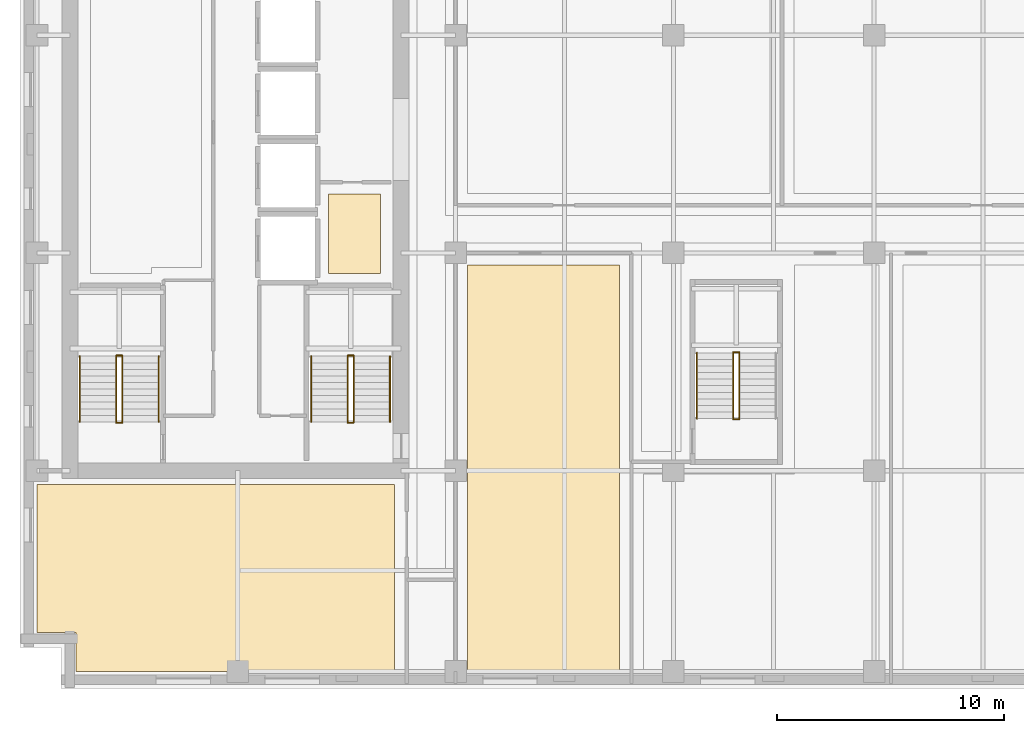
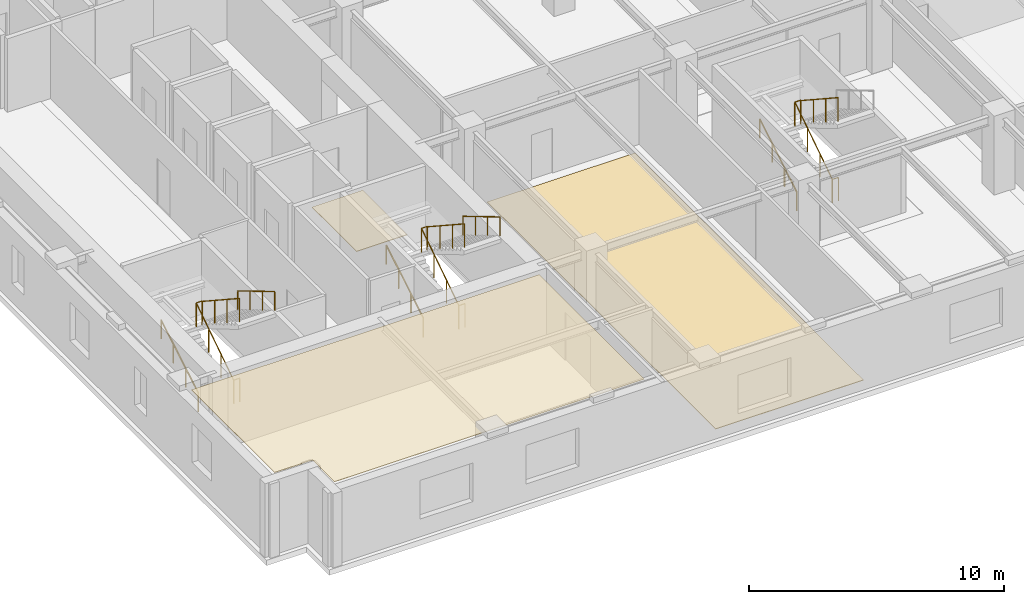
# One storey, part 9 of 13: 17 railings, 3 coverings.
"""IFC4 building model written with IfcOpenShell, lengths in metres."""

from ifc_helpers import new_model, si_unit, direction, frame, origin, origin_2d, place, context, subcontext, project, spatial, polyline, circle, outline, extrude, material, layer, layer_set, type_object, element, save


model = new_model("IFC4")

# Units and contexts
model_context = context("Model", 3, precision=1e-05, world=origin(), true_north=direction((0.0, 1.0)))
body_context = subcontext(model_context, "Body", "Model", "MODEL_VIEW")
ifc_project = project(units=[si_unit("LENGTHUNIT", "METRE"), si_unit("AREAUNIT", "SQUARE_METRE"), si_unit("VOLUMEUNIT", "CUBIC_METRE"), si_unit("PLANEANGLEUNIT", "RADIAN"), si_unit("MASSUNIT", "GRAM", prefix="KILO")], contexts=[model_context])

# Site, building, storey
site_placement = place(None, origin())
site = spatial("IfcSite", under=ifc_project, at=site_placement, CompositionType="ELEMENT")
building_placement = place(site_placement, origin())
building = spatial("IfcBuilding", under=site, at=building_placement, Name="Norrvale University Quadrangle", CompositionType="ELEMENT")
storey_placement = place(building_placement, frame((0.0, 0.0, 163.60009765625)))
storey = spatial("IfcBuildingStorey", under=building, at=storey_placement, Name="L41", CompositionType="ELEMENT", Elevation=163.60009765625)

# Coverings
ifc_material_1 = material(Name="Perforated Acoustic Mineral Ceiling")
ifc_layer_1 = layer(ifc_material_1, 0.02490234375, Name="Perforated Acoustic Mineral Ceiling")
ifc_layer_set_1 = layer_set([ifc_layer_1], Name="Perforated Acoustic Mineral Ceiling")
covering_type_1 = type_object("IfcCoveringType", Name="Covering Acoustic Ceiling 25", PredefinedType="CEILING", material=ifc_layer_set_1)
covering_1_placement = place(storey_placement, frame((0.0, 0.0, 3.514892578125)))
element("IfcCovering", 1, at=covering_1_placement, inside=storey, type_object=covering_type_1, Name="Acoustic Ceiling RM-L41-SW1", PredefinedType="CEILING", context=body_context, shape_type="SweptSolid", body=[
    extrude(outline(polyline([(0.75, 9.0), (16.5, 9.0), (16.5, 0.75), (2.469970703125, 0.75), (2.469970703125, 2.469970703125), (0.75, 2.469970703125), (0.75, 9.0)])), origin(), (0.0, 0.0, 1.0), 0.02490234375),
])
ifc_material_2 = material(Name="Polished Terrazzo Flooring")
ifc_layer_2 = layer(ifc_material_2, 0.02490234375, Name="Polished Terrazzo Flooring")
ifc_layer_set_2 = layer_set([ifc_layer_2], Name="Polished Terrazzo Flooring")
covering_type_2 = type_object("IfcCoveringType", Name="Covering Terrazzo Floor 30", PredefinedType="FLOORING", material=ifc_layer_set_2)
covering_2_placement = place(storey_placement, origin())
element("IfcCovering", 2, at=covering_2_placement, inside=storey, type_object=covering_type_2, Name="Terrazzo Flooring RM-L41-JAN", PredefinedType="FLOORING", context=body_context, shape_type="SweptSolid", body=[
    extrude(outline(polyline([(13.60009765625, 18.300048828125), (13.60009765625, 21.800048828125), (15.89990234375, 21.800048828125), (15.89990234375, 18.300048828125), (13.60009765625, 18.300048828125)])), origin(), (0.0, 0.0, 1.0), 0.02490234375),
])
covering_3_placement = place(storey_placement, origin())
element("IfcCovering", 3, at=covering_3_placement, inside=storey, type_object=covering_type_2, Name="Terrazzo Flooring RM-L41-SE1", PredefinedType="FLOORING", context=body_context, shape_type="SweptSolid", body=[
    extrude(outline(polyline([(19.72998046875, 18.669921875), (26.419921875, 18.669921875), (26.419921875, 0.75), (19.72998046875, 0.75), (19.72998046875, 18.669921875)])), origin(), (0.0, 0.0, 1.0), 0.02490234375),
])

# Railings
ifc_material_3 = material(Name="Steel 350W Painted Balustrade", Category="steel")
railing_type_1 = type_object("IfcRailingType", Name="Railing Stair Guard 1100", PredefinedType="GUARDRAIL", material=ifc_material_3)
for number, where, name in (
    (4, (4.239990234375, 11.719970703125, 0.0), "Stair Floor Well Guard ST-01 L41"),
    (5, (4.239990234375, 14.679931640625, 1.89990234375), "Stair Mid-Landing Slot Guard ST-01 L41"),
):
    element("IfcRailing", number, at=place(storey_placement, frame(where)), inside=storey, type_object=railing_type_1, Name=name, PredefinedType="GUARDRAIL", context=body_context, shape_type="SweptSolid", body=[
        extrude(circle(Radius=0.02392578125, at=origin_2d()), frame((0.0, 0.0, 1.1259765625), z_axis=(1.0, 0.0, 0.0), x_axis=(0.0, 1.0, 0.0)), (0.0, 0.0, 1.0), 0.27001953125),
        extrude(circle(Radius=0.02099609375, at=origin_2d()), origin(), (0.0, 0.0, 1.0), 1.101806640625),
        extrude(circle(Radius=0.02099609375, at=origin_2d()), frame((0.27001953125, 0.0, 0.0)), (0.0, 0.0, 1.0), 1.101806640625),
    ])
railing_1_placement = place(storey_placement, frame((4.239990234375, 11.75, 0.0)))
element("IfcRailing", 6, at=railing_1_placement, inside=storey, type_object=railing_type_1, Name="Stair Lower Flight Inner Guard ST-01 L41", PredefinedType="GUARDRAIL", context=body_context, shape_type="SweptSolid", body=[
    extrude(circle(Radius=0.02392578125, at=origin_2d()), frame((0.0, 0.0, 1.1259765625), z_axis=(0.0, 0.836465582154, 0.548019461216), x_axis=(-1.0, 0.0, 0.0)), (0.0, 0.0, 1.0), 3.466796875),
    extrude(circle(Radius=0.02099609375, at=origin_2d()), origin(), (0.0, 0.0, 1.0), 1.101806640625),
    extrude(circle(Radius=0.02099609375, at=origin_2d()), frame((0.0, 0.966552734375, 0.63330078125)), (0.0, 0.0, 1.0), 1.101806640625),
    extrude(circle(Radius=0.02099609375, at=origin_2d()), frame((0.0, 1.933349609375, 1.2666015625)), (0.0, 0.0, 1.0), 1.101806640625),
    extrude(circle(Radius=0.02099609375, at=origin_2d()), frame((0.0, 2.89990234375, 1.89990234375)), (0.0, 0.0, 1.0), 1.101806640625),
])
railing_2_placement = place(storey_placement, frame((4.510009765625, 14.64990234375, 1.89990234375)))
element("IfcRailing", 7, at=railing_2_placement, inside=storey, type_object=railing_type_1, Name="Stair Upper Flight Inner Guard ST-01 L41", PredefinedType="GUARDRAIL", context=body_context, shape_type="SweptSolid", body=[
    extrude(circle(Radius=0.02392578125, at=origin_2d()), frame((0.0, 0.0, 1.1259765625), z_axis=(0.0, -0.836465582154, 0.548019461216), x_axis=(1.0, 0.0, 0.0)), (0.0, 0.0, 1.0), 3.466796875),
    extrude(circle(Radius=0.02099609375, at=origin_2d()), origin(), (0.0, 0.0, 1.0), 1.101806640625),
    extrude(circle(Radius=0.02099609375, at=origin_2d()), frame((0.0, -0.966552734375, 0.63330078125)), (0.0, 0.0, 1.0), 1.101806640625),
    extrude(circle(Radius=0.02099609375, at=origin_2d()), frame((0.0, -1.933349609375, 1.2666015625)), (0.0, 0.0, 1.0), 1.101806640625),
    extrude(circle(Radius=0.02099609375, at=origin_2d()), frame((0.0, -2.89990234375, 1.89990234375)), (0.0, 0.0, 1.0), 1.101806640625),
])
for number, where, name in (
    (8, (14.43994140625, 11.719970703125, 0.0), "Stair Floor Well Guard ST-03 L41"),
    (9, (14.43994140625, 14.679931640625, 1.89990234375), "Stair Mid-Landing Slot Guard ST-03 L41"),
):
    element("IfcRailing", number, at=place(storey_placement, frame(where)), inside=storey, type_object=railing_type_1, Name=name, PredefinedType="GUARDRAIL", context=body_context, shape_type="SweptSolid", body=[
        extrude(circle(Radius=0.02392578125, at=origin_2d()), frame((0.0, 0.0, 1.1259765625), z_axis=(1.0, 0.0, 0.0), x_axis=(0.0, 1.0, 0.0)), (0.0, 0.0, 1.0), 0.27001953125),
        extrude(circle(Radius=0.02099609375, at=origin_2d()), origin(), (0.0, 0.0, 1.0), 1.101806640625),
        extrude(circle(Radius=0.02099609375, at=origin_2d()), frame((0.27001953125, 0.0, 0.0)), (0.0, 0.0, 1.0), 1.101806640625),
    ])
railing_3_placement = place(storey_placement, frame((14.43994140625, 11.75, 0.0)))
element("IfcRailing", 10, at=railing_3_placement, inside=storey, type_object=railing_type_1, Name="Stair Lower Flight Inner Guard ST-03 L41", PredefinedType="GUARDRAIL", context=body_context, shape_type="SweptSolid", body=[
    extrude(circle(Radius=0.02392578125, at=origin_2d()), frame((0.0, 0.0, 1.1259765625), z_axis=(0.0, 0.836465582154, 0.548019461216), x_axis=(-1.0, 0.0, 0.0)), (0.0, 0.0, 1.0), 3.466796875),
    extrude(circle(Radius=0.02099609375, at=origin_2d()), origin(), (0.0, 0.0, 1.0), 1.101806640625),
    extrude(circle(Radius=0.02099609375, at=origin_2d()), frame((0.0, 0.966552734375, 0.63330078125)), (0.0, 0.0, 1.0), 1.101806640625),
    extrude(circle(Radius=0.02099609375, at=origin_2d()), frame((0.0, 1.933349609375, 1.2666015625)), (0.0, 0.0, 1.0), 1.101806640625),
    extrude(circle(Radius=0.02099609375, at=origin_2d()), frame((0.0, 2.89990234375, 1.89990234375)), (0.0, 0.0, 1.0), 1.101806640625),
])
railing_4_placement = place(storey_placement, frame((14.7099609375, 14.64990234375, 1.89990234375)))
element("IfcRailing", 11, at=railing_4_placement, inside=storey, type_object=railing_type_1, Name="Stair Upper Flight Inner Guard ST-03 L41", PredefinedType="GUARDRAIL", context=body_context, shape_type="SweptSolid", body=[
    extrude(circle(Radius=0.02392578125, at=origin_2d()), frame((0.0, 0.0, 1.1259765625), z_axis=(0.0, -0.836465582154, 0.548019461216), x_axis=(1.0, 0.0, 0.0)), (0.0, 0.0, 1.0), 3.466796875),
    extrude(circle(Radius=0.02099609375, at=origin_2d()), origin(), (0.0, 0.0, 1.0), 1.101806640625),
    extrude(circle(Radius=0.02099609375, at=origin_2d()), frame((0.0, -0.966552734375, 0.63330078125)), (0.0, 0.0, 1.0), 1.101806640625),
    extrude(circle(Radius=0.02099609375, at=origin_2d()), frame((0.0, -1.933349609375, 1.2666015625)), (0.0, 0.0, 1.0), 1.101806640625),
    extrude(circle(Radius=0.02099609375, at=origin_2d()), frame((0.0, -2.89990234375, 1.89990234375)), (0.0, 0.0, 1.0), 1.101806640625),
])
for number, where, name in (
    (12, (31.43994140625, 11.8701171875, 0.0), "Stair Floor Well Guard ST-04 L41"),
    (13, (31.43994140625, 14.830078125, 1.89990234375), "Stair Mid-Landing Slot Guard ST-04 L41"),
):
    element("IfcRailing", number, at=place(storey_placement, frame(where)), inside=storey, type_object=railing_type_1, Name=name, PredefinedType="GUARDRAIL", context=body_context, shape_type="SweptSolid", body=[
        extrude(circle(Radius=0.02392578125, at=origin_2d()), frame((0.0, 0.0, 1.1259765625), z_axis=(1.0, 0.0, 0.0), x_axis=(0.0, 1.0, 0.0)), (0.0, 0.0, 1.0), 0.27001953125),
        extrude(circle(Radius=0.02099609375, at=origin_2d()), origin(), (0.0, 0.0, 1.0), 1.101806640625),
        extrude(circle(Radius=0.02099609375, at=origin_2d()), frame((0.27001953125, 0.0, 0.0)), (0.0, 0.0, 1.0), 1.101806640625),
    ])
railing_5_placement = place(storey_placement, frame((31.43994140625, 11.89990234375, 0.0)))
element("IfcRailing", 14, at=railing_5_placement, inside=storey, type_object=railing_type_1, Name="Stair Lower Flight Inner Guard ST-04 L41", PredefinedType="GUARDRAIL", context=body_context, shape_type="SweptSolid", body=[
    extrude(circle(Radius=0.02392578125, at=origin_2d()), frame((0.0, 0.0, 1.1259765625), z_axis=(0.0, 0.836486729621, 0.547987181573), x_axis=(-1.0, 0.0, 0.0)), (0.0, 0.0, 1.0), 3.467041015625),
    extrude(circle(Radius=0.02099609375, at=origin_2d()), origin(), (0.0, 0.0, 1.0), 1.101806640625),
    extrude(circle(Radius=0.02099609375, at=origin_2d()), frame((0.0, 0.966796875, 0.63330078125)), (0.0, 0.0, 1.0), 1.101806640625),
    extrude(circle(Radius=0.02099609375, at=origin_2d()), frame((0.0, 1.933349609375, 1.2666015625)), (0.0, 0.0, 1.0), 1.101806640625),
    extrude(circle(Radius=0.02099609375, at=origin_2d()), frame((0.0, 2.900146484375, 1.89990234375)), (0.0, 0.0, 1.0), 1.101806640625),
])
railing_6_placement = place(storey_placement, frame((31.7099609375, 14.800048828125, 1.89990234375)))
element("IfcRailing", 15, at=railing_6_placement, inside=storey, type_object=railing_type_1, Name="Stair Upper Flight Inner Guard ST-04 L41", PredefinedType="GUARDRAIL", context=body_context, shape_type="SweptSolid", body=[
    extrude(circle(Radius=0.02392578125, at=origin_2d()), frame((0.0, 0.0, 1.1259765625), z_axis=(0.0, -0.836486729621, 0.547987181573), x_axis=(1.0, 0.0, 0.0)), (0.0, 0.0, 1.0), 3.467041015625),
    extrude(circle(Radius=0.02099609375, at=origin_2d()), origin(), (0.0, 0.0, 1.0), 1.101806640625),
    extrude(circle(Radius=0.02099609375, at=origin_2d()), frame((0.0, -0.966796875, 0.63330078125)), (0.0, 0.0, 1.0), 1.101806640625),
    extrude(circle(Radius=0.02099609375, at=origin_2d()), frame((0.0, -1.933349609375, 1.2666015625)), (0.0, 0.0, 1.0), 1.101806640625),
    extrude(circle(Radius=0.02099609375, at=origin_2d()), frame((0.0, -2.900146484375, 1.89990234375)), (0.0, 0.0, 1.0), 1.101806640625),
])
ifc_material_4 = material(Name="Stainless Steel 316L Handrail", Category="steel")
railing_type_2 = type_object("IfcRailingType", Name="Railing Stair Handrail 920", PredefinedType="HANDRAIL", material=ifc_material_4)
railing_7_placement = place(storey_placement, frame((2.639892578125, 11.75, 0.172607421875)))
element("IfcRailing", 16, at=railing_7_placement, inside=storey, type_object=railing_type_2, Name="Stair Lower Flight Handrail ST-01 L41", PredefinedType="HANDRAIL", context=body_context, shape_type="SweptSolid", body=[
    extrude(circle(Radius=0.02392578125, at=origin_2d()), frame((0.0, 0.0, 0.89599609375), z_axis=(0.0, 0.859141464434, 0.511738159696), x_axis=(-1.0, 0.0, 0.0)), (0.0, 0.0, 1.0), 3.375244140625),
    extrude(circle(Radius=0.02099609375, at=origin_2d()), origin(), (0.0, 0.0, 1.0), 0.871826171875),
    extrude(circle(Radius=0.02099609375, at=origin_2d()), frame((0.0, 0.966552734375, 0.57568359375)), (0.0, 0.0, 1.0), 0.871826171875),
    extrude(circle(Radius=0.02099609375, at=origin_2d()), frame((0.0, 1.933349609375, 1.151611328125)), (0.0, 0.0, 1.0), 0.871826171875),
    extrude(circle(Radius=0.02099609375, at=origin_2d()), frame((0.0, 2.89990234375, 1.727294921875)), (0.0, 0.0, 1.0), 0.871826171875),
])
railing_8_placement = place(storey_placement, frame((6.110107421875, 14.64990234375, 2.072509765625)))
element("IfcRailing", 17, at=railing_8_placement, inside=storey, type_object=railing_type_2, Name="Stair Upper Flight Handrail ST-01 L41", PredefinedType="HANDRAIL", context=body_context, shape_type="SweptSolid", body=[
    extrude(circle(Radius=0.02392578125, at=origin_2d()), frame((0.0, 0.0, 0.89599609375), z_axis=(0.0, -0.859141464434, 0.511738159696), x_axis=(1.0, 0.0, 0.0)), (0.0, 0.0, 1.0), 3.375244140625),
    extrude(circle(Radius=0.02099609375, at=origin_2d()), origin(), (0.0, 0.0, 1.0), 0.871826171875),
    extrude(circle(Radius=0.02099609375, at=origin_2d()), frame((0.0, -0.966552734375, 0.57568359375)), (0.0, 0.0, 1.0), 0.871826171875),
    extrude(circle(Radius=0.02099609375, at=origin_2d()), frame((0.0, -1.933349609375, 1.151611328125)), (0.0, 0.0, 1.0), 0.871826171875),
    extrude(circle(Radius=0.02099609375, at=origin_2d()), frame((0.0, -2.89990234375, 1.727294921875)), (0.0, 0.0, 1.0), 0.871826171875),
])
railing_9_placement = place(storey_placement, frame((12.840087890625, 11.75, 0.172607421875)))
element("IfcRailing", 18, at=railing_9_placement, inside=storey, type_object=railing_type_2, Name="Stair Lower Flight Handrail ST-03 L41", PredefinedType="HANDRAIL", context=body_context, shape_type="SweptSolid", body=[
    extrude(circle(Radius=0.02392578125, at=origin_2d()), frame((0.0, 0.0, 0.89599609375), z_axis=(0.0, 0.859141464434, 0.511738159696), x_axis=(-1.0, 0.0, 0.0)), (0.0, 0.0, 1.0), 3.375244140625),
    extrude(circle(Radius=0.02099609375, at=origin_2d()), origin(), (0.0, 0.0, 1.0), 0.871826171875),
    extrude(circle(Radius=0.02099609375, at=origin_2d()), frame((0.0, 0.966552734375, 0.57568359375)), (0.0, 0.0, 1.0), 0.871826171875),
    extrude(circle(Radius=0.02099609375, at=origin_2d()), frame((0.0, 1.933349609375, 1.151611328125)), (0.0, 0.0, 1.0), 0.871826171875),
    extrude(circle(Radius=0.02099609375, at=origin_2d()), frame((0.0, 2.89990234375, 1.727294921875)), (0.0, 0.0, 1.0), 0.871826171875),
])
railing_10_placement = place(storey_placement, frame((16.31005859375, 14.64990234375, 2.072509765625)))
element("IfcRailing", 19, at=railing_10_placement, inside=storey, type_object=railing_type_2, Name="Stair Upper Flight Handrail ST-03 L41", PredefinedType="HANDRAIL", context=body_context, shape_type="SweptSolid", body=[
    extrude(circle(Radius=0.02392578125, at=origin_2d()), frame((0.0, 0.0, 0.89599609375), z_axis=(0.0, -0.859141464434, 0.511738159696), x_axis=(1.0, 0.0, 0.0)), (0.0, 0.0, 1.0), 3.375244140625),
    extrude(circle(Radius=0.02099609375, at=origin_2d()), origin(), (0.0, 0.0, 1.0), 0.871826171875),
    extrude(circle(Radius=0.02099609375, at=origin_2d()), frame((0.0, -0.966552734375, 0.57568359375)), (0.0, 0.0, 1.0), 0.871826171875),
    extrude(circle(Radius=0.02099609375, at=origin_2d()), frame((0.0, -1.933349609375, 1.151611328125)), (0.0, 0.0, 1.0), 0.871826171875),
    extrude(circle(Radius=0.02099609375, at=origin_2d()), frame((0.0, -2.89990234375, 1.727294921875)), (0.0, 0.0, 1.0), 0.871826171875),
])
railing_11_placement = place(storey_placement, frame((29.840087890625, 11.89990234375, 0.172607421875)))
element("IfcRailing", 20, at=railing_11_placement, inside=storey, type_object=railing_type_2, Name="Stair Lower Flight Handrail ST-04 L41", PredefinedType="HANDRAIL", context=body_context, shape_type="SweptSolid", body=[
    extrude(circle(Radius=0.02392578125, at=origin_2d()), frame((0.0, 0.0, 0.89599609375), z_axis=(0.0, 0.859160404282, 0.51170636083), x_axis=(-1.0, 0.0, 0.0)), (0.0, 0.0, 1.0), 3.37548828125),
    extrude(circle(Radius=0.02099609375, at=origin_2d()), origin(), (0.0, 0.0, 1.0), 0.871826171875),
    extrude(circle(Radius=0.02099609375, at=origin_2d()), frame((0.0, 0.966796875, 0.57568359375)), (0.0, 0.0, 1.0), 0.871826171875),
    extrude(circle(Radius=0.02099609375, at=origin_2d()), frame((0.0, 1.933349609375, 1.151611328125)), (0.0, 0.0, 1.0), 0.871826171875),
    extrude(circle(Radius=0.02099609375, at=origin_2d()), frame((0.0, 2.900146484375, 1.727294921875)), (0.0, 0.0, 1.0), 0.871826171875),
])

save(model, "model.ifc")
